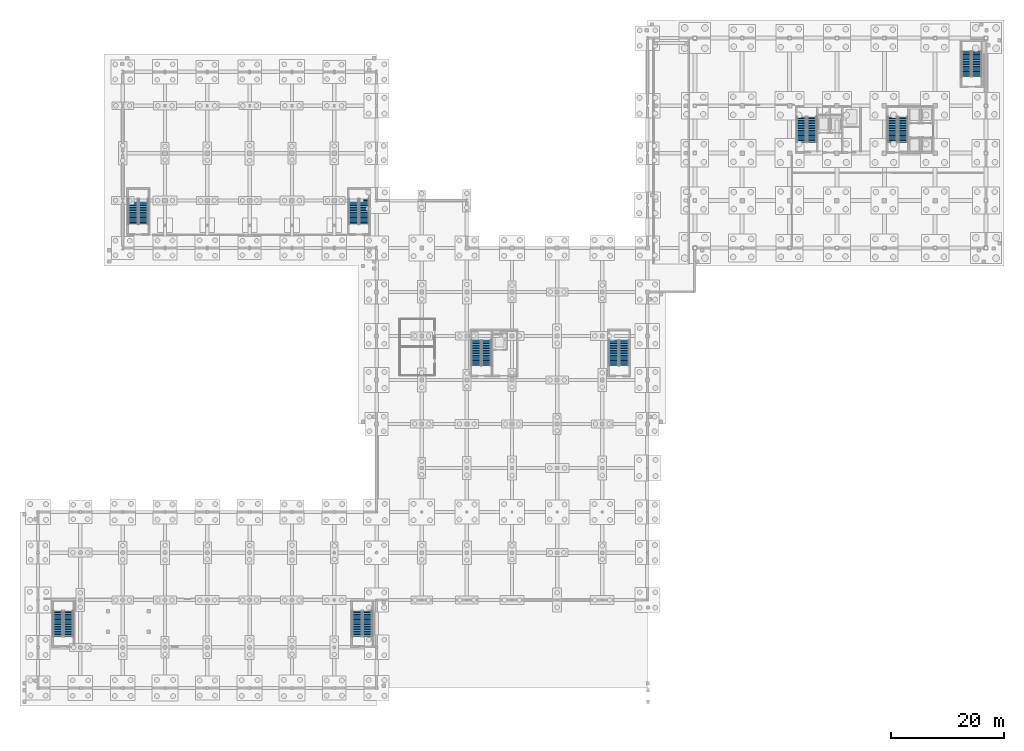
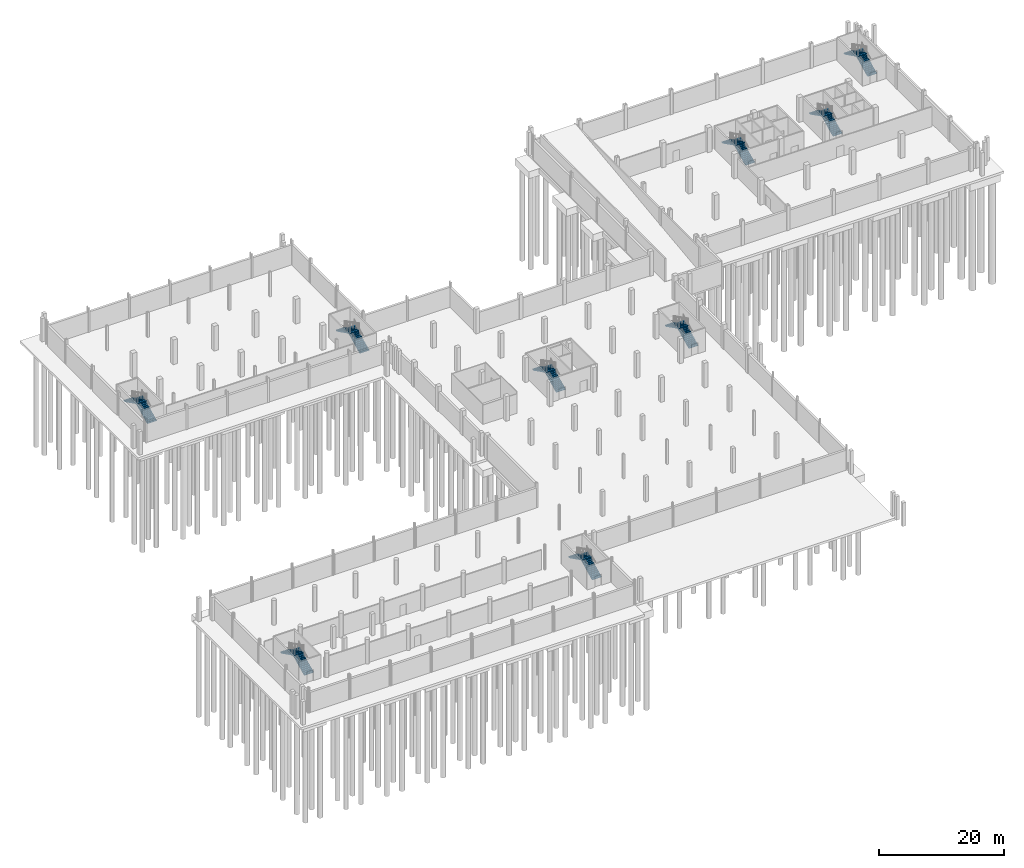
# One storey, part 35 of 44: 18 stair flights, 9 elements without a shape of their own.
"""IFC4 building model written with IfcOpenShell, lengths in metres."""

from ifc_helpers import new_model, si_unit, direction, frame, origin, place, context, subcontext, project, spatial, polyline, outline, extrude, material, type_object, element, aggregate, save


model = new_model("IFC4")

# Units and contexts
model_context = context("Model", 3, precision=1e-05, world=origin(), true_north=direction((0.0, 1.0)))
body_context = subcontext(model_context, "Body", "Model", "MODEL_VIEW")
ifc_project = project(units=[si_unit("LENGTHUNIT", "METRE"), si_unit("AREAUNIT", "SQUARE_METRE"), si_unit("VOLUMEUNIT", "CUBIC_METRE"), si_unit("PLANEANGLEUNIT", "RADIAN"), si_unit("MASSUNIT", "GRAM", prefix="KILO")], contexts=[model_context])

# Site, building, storey
site_placement = place(None, origin())
site = spatial("IfcSite", under=ifc_project, at=site_placement, CompositionType="ELEMENT")
building_placement = place(site_placement, origin())
building = spatial("IfcBuilding", under=site, at=building_placement, Name="Yukiwa Park Conservatory and Herbarium", CompositionType="ELEMENT")
storey_placement = place(building_placement, frame((0.0, 0.0, -4.800048828125)))
storey = spatial("IfcBuildingStorey", under=building, at=storey_placement, Name="B1", CompositionType="ELEMENT", Elevation=-4.800048828125)

# Stair, stair flights
ifc_material_1 = material(Name="Concrete C40", Category="concrete")
stair_type_1 = type_object("IfcStairType", Name="ST-DOGLEG-ST-T1", PredefinedType="HALF_TURN_STAIR", material=ifc_material_1)
stair_1_placement = place(storey_placement, origin())
stair_1 = element("IfcStair", 1, at=stair_1_placement, inside=storey, type_object=stair_type_1, Name="B1 Protected Smoke-Proof Stair ST-T1", PredefinedType="HALF_TURN_STAIR")
ifc_material_2 = material(Name="Concrete C40", Category="concrete")
stair_flight_type_1 = type_object("IfcStairFlightType", Name="STF-RC-1680", PredefinedType="STRAIGHT", material=ifc_material_2)
stair_flight_1_placement = place(storey_placement, frame((137.159912109375, 96.72998046875, 0.0), z_axis=(0.0, 0.0, 1.0), x_axis=(0.0, 1.0, 0.0)))
stair_flight_1 = element("IfcStairFlight", 2, at=stair_flight_1_placement, type_object=stair_flight_type_1, Name="ST-T1 flight 1", NumberOfRisers=16, NumberOfTreads=15, PredefinedType="STRAIGHT", RiserHeight=0.15, TreadLength=0.3, context=body_context, shape_type="SweptSolid", body=[
    extrude(outline(polyline([(0.0, 0.0), (0.0, 0.14990234375), (0.300048828125, 0.14990234375), (0.300048828125, 0.300048828125), (0.60009765625, 0.300048828125), (0.60009765625, 0.449951171875), (0.89990234375, 0.449951171875), (0.89990234375, 0.60009765625), (1.199951171875, 0.60009765625), (1.199951171875, 0.75), (1.5, 0.75), (1.5, 0.89990234375), (1.800048828125, 0.89990234375), (1.800048828125, 1.050048828125), (2.10009765625, 1.050048828125), (2.10009765625, 1.199951171875), (2.39990234375, 1.199951171875), (2.39990234375, 1.35009765625), (2.699951171875, 1.35009765625), (2.699951171875, 1.5), (3.0, 1.5), (3.0, 1.64990234375), (3.300048828125, 1.64990234375), (3.300048828125, 1.800048828125), (3.60009765625, 1.800048828125), (3.60009765625, 1.949951171875), (3.89990234375, 1.949951171875), (3.89990234375, 2.10009765625), (4.199951171875, 2.10009765625), (4.199951171875, 2.25), (4.5, 2.25), (4.5, 2.39990234375), (4.5, 2.08251953125), (0.335205078125, 0.0), (0.0, 0.0)])), frame((0.0, 0.83984375, 0.0), z_axis=(0.0, -1.0, 0.0), x_axis=(1.0, 0.0, 0.0)), (0.0, 0.0, 1.0), 1.679931640625),
])
stair_flight_2_placement = place(storey_placement, frame((135.330078125, 101.22998046875, 2.400146484375), z_axis=(0.0, 0.0, 1.0), x_axis=(0.0, -1.0, 0.0)))
stair_flight_2 = element("IfcStairFlight", 3, at=stair_flight_2_placement, type_object=stair_flight_type_1, Name="ST-T1 flight 2", NumberOfRisers=16, NumberOfTreads=15, PredefinedType="STRAIGHT", RiserHeight=0.15, TreadLength=0.3, context=body_context, shape_type="SweptSolid", body=[
    extrude(outline(polyline([(0.0, 0.0), (0.0, 0.14990234375), (0.300048828125, 0.14990234375), (0.300048828125, 0.300048828125), (0.60009765625, 0.300048828125), (0.60009765625, 0.449951171875), (0.89990234375, 0.449951171875), (0.89990234375, 0.60009765625), (1.199951171875, 0.60009765625), (1.199951171875, 0.75), (1.5, 0.75), (1.5, 0.89990234375), (1.800048828125, 0.89990234375), (1.800048828125, 1.050048828125), (2.10009765625, 1.050048828125), (2.10009765625, 1.199951171875), (2.39990234375, 1.199951171875), (2.39990234375, 1.35009765625), (2.699951171875, 1.35009765625), (2.699951171875, 1.5), (3.0, 1.5), (3.0, 1.64990234375), (3.300048828125, 1.64990234375), (3.300048828125, 1.800048828125), (3.60009765625, 1.800048828125), (3.60009765625, 1.949951171875), (3.89990234375, 1.949951171875), (3.89990234375, 2.10009765625), (4.199951171875, 2.10009765625), (4.199951171875, 2.25), (4.5, 2.25), (4.5, 2.39990234375), (4.5, 2.08251953125), (0.335205078125, 0.0), (0.0, 0.0)])), frame((0.0, 0.83984375, 0.0), z_axis=(0.0, -1.0, 0.0), x_axis=(1.0, 0.0, 0.0)), (0.0, 0.0, 1.0), 1.679931640625),
])
aggregate(stair_1, [stair_flight_1, stair_flight_2])

ifc_material_3 = material(Name="Concrete C40", Category="concrete")
stair_type_2 = type_object("IfcStairType", Name="ST-DOGLEG-ST-T2", PredefinedType="HALF_TURN_STAIR", material=ifc_material_3)
stair_2_placement = place(storey_placement, origin())
stair_2 = element("IfcStair", 4, at=stair_2_placement, inside=storey, type_object=stair_type_2, Name="B1 Protected Smoke-Proof Stair ST-T2", PredefinedType="HALF_TURN_STAIR")
stair_flight_3_placement = place(storey_placement, frame((153.27001953125, 96.72998046875, 0.0), z_axis=(0.0, 0.0, 1.0), x_axis=(0.0, 1.0, 0.0)))
stair_flight_3 = element("IfcStairFlight", 5, at=stair_flight_3_placement, type_object=stair_flight_type_1, Name="ST-T2 flight 1", NumberOfRisers=16, NumberOfTreads=15, PredefinedType="STRAIGHT", RiserHeight=0.15, TreadLength=0.3, context=body_context, shape_type="SweptSolid", body=[
    extrude(outline(polyline([(0.0, 0.0), (0.0, 0.14990234375), (0.300048828125, 0.14990234375), (0.300048828125, 0.300048828125), (0.60009765625, 0.300048828125), (0.60009765625, 0.449951171875), (0.89990234375, 0.449951171875), (0.89990234375, 0.60009765625), (1.199951171875, 0.60009765625), (1.199951171875, 0.75), (1.5, 0.75), (1.5, 0.89990234375), (1.800048828125, 0.89990234375), (1.800048828125, 1.050048828125), (2.10009765625, 1.050048828125), (2.10009765625, 1.199951171875), (2.39990234375, 1.199951171875), (2.39990234375, 1.35009765625), (2.699951171875, 1.35009765625), (2.699951171875, 1.5), (3.0, 1.5), (3.0, 1.64990234375), (3.300048828125, 1.64990234375), (3.300048828125, 1.800048828125), (3.60009765625, 1.800048828125), (3.60009765625, 1.949951171875), (3.89990234375, 1.949951171875), (3.89990234375, 2.10009765625), (4.199951171875, 2.10009765625), (4.199951171875, 2.25), (4.5, 2.25), (4.5, 2.39990234375), (4.5, 2.08251953125), (0.335205078125, 0.0), (0.0, 0.0)])), frame((0.0, 0.83984375, 0.0), z_axis=(0.0, -1.0, 0.0), x_axis=(1.0, 0.0, 0.0)), (0.0, 0.0, 1.0), 1.679931640625),
])
stair_flight_4_placement = place(storey_placement, frame((151.43994140625, 101.22998046875, 2.400146484375), z_axis=(0.0, 0.0, 1.0), x_axis=(0.0, -1.0, 0.0)))
stair_flight_4 = element("IfcStairFlight", 6, at=stair_flight_4_placement, type_object=stair_flight_type_1, Name="ST-T2 flight 2", NumberOfRisers=16, NumberOfTreads=15, PredefinedType="STRAIGHT", RiserHeight=0.15, TreadLength=0.3, context=body_context, shape_type="SweptSolid", body=[
    extrude(outline(polyline([(0.0, 0.0), (0.0, 0.14990234375), (0.300048828125, 0.14990234375), (0.300048828125, 0.300048828125), (0.60009765625, 0.300048828125), (0.60009765625, 0.449951171875), (0.89990234375, 0.449951171875), (0.89990234375, 0.60009765625), (1.199951171875, 0.60009765625), (1.199951171875, 0.75), (1.5, 0.75), (1.5, 0.89990234375), (1.800048828125, 0.89990234375), (1.800048828125, 1.050048828125), (2.10009765625, 1.050048828125), (2.10009765625, 1.199951171875), (2.39990234375, 1.199951171875), (2.39990234375, 1.35009765625), (2.699951171875, 1.35009765625), (2.699951171875, 1.5), (3.0, 1.5), (3.0, 1.64990234375), (3.300048828125, 1.64990234375), (3.300048828125, 1.800048828125), (3.60009765625, 1.800048828125), (3.60009765625, 1.949951171875), (3.89990234375, 1.949951171875), (3.89990234375, 2.10009765625), (4.199951171875, 2.10009765625), (4.199951171875, 2.25), (4.5, 2.25), (4.5, 2.39990234375), (4.5, 2.08251953125), (0.335205078125, 0.0), (0.0, 0.0)])), frame((0.0, 0.83984375, 0.0), z_axis=(0.0, -1.0, 0.0), x_axis=(1.0, 0.0, 0.0)), (0.0, 0.0, 1.0), 1.679931640625),
])
aggregate(stair_2, [stair_flight_3, stair_flight_4])

ifc_material_4 = material(Name="Concrete C40", Category="concrete")
stair_type_3 = type_object("IfcStairType", Name="ST-DOGLEG-ST-T3", PredefinedType="HALF_TURN_STAIR", material=ifc_material_4)
stair_3_placement = place(storey_placement, origin())
stair_3 = element("IfcStair", 7, at=stair_3_placement, inside=storey, type_object=stair_type_3, Name="B1 Protected Smoke-Proof Stair ST-T3", PredefinedType="HALF_TURN_STAIR")
stair_flight_5_placement = place(storey_placement, frame((166.360107421875, 108.3798828125, 0.0), z_axis=(0.0, 0.0, 1.0), x_axis=(0.0, 1.0, 0.0)))
stair_flight_5 = element("IfcStairFlight", 8, at=stair_flight_5_placement, type_object=stair_flight_type_1, Name="ST-T3 flight 1", NumberOfRisers=16, NumberOfTreads=15, PredefinedType="STRAIGHT", RiserHeight=0.15, TreadLength=0.3, context=body_context, shape_type="SweptSolid", body=[
    extrude(outline(polyline([(0.0, 0.0), (0.0, 0.14990234375), (0.300048828125, 0.14990234375), (0.300048828125, 0.300048828125), (0.60009765625, 0.300048828125), (0.60009765625, 0.449951171875), (0.89990234375, 0.449951171875), (0.89990234375, 0.60009765625), (1.199951171875, 0.60009765625), (1.199951171875, 0.75), (1.5, 0.75), (1.5, 0.89990234375), (1.800048828125, 0.89990234375), (1.800048828125, 1.050048828125), (2.10009765625, 1.050048828125), (2.10009765625, 1.199951171875), (2.39990234375, 1.199951171875), (2.39990234375, 1.35009765625), (2.699951171875, 1.35009765625), (2.699951171875, 1.5), (3.0, 1.5), (3.0, 1.64990234375), (3.300048828125, 1.64990234375), (3.300048828125, 1.800048828125), (3.60009765625, 1.800048828125), (3.60009765625, 1.949951171875), (3.89990234375, 1.949951171875), (3.89990234375, 2.10009765625), (4.199951171875, 2.10009765625), (4.199951171875, 2.25), (4.5, 2.25), (4.5, 2.39990234375), (4.5, 2.08251953125), (0.335205078125, 0.0), (0.0, 0.0)])), frame((0.0, 0.83984375, 0.0), z_axis=(0.0, -1.0, 0.0), x_axis=(1.0, 0.0, 0.0)), (0.0, 0.0, 1.0), 1.679931640625),
])
stair_flight_6_placement = place(storey_placement, frame((164.530029296875, 112.8798828125, 2.400146484375), z_axis=(0.0, 0.0, 1.0), x_axis=(0.0, -1.0, 0.0)))
stair_flight_6 = element("IfcStairFlight", 9, at=stair_flight_6_placement, type_object=stair_flight_type_1, Name="ST-T3 flight 2", NumberOfRisers=16, NumberOfTreads=15, PredefinedType="STRAIGHT", RiserHeight=0.15, TreadLength=0.3, context=body_context, shape_type="SweptSolid", body=[
    extrude(outline(polyline([(0.0, 0.0), (0.0, 0.14990234375), (0.300048828125, 0.14990234375), (0.300048828125, 0.300048828125), (0.60009765625, 0.300048828125), (0.60009765625, 0.449951171875), (0.89990234375, 0.449951171875), (0.89990234375, 0.60009765625), (1.199951171875, 0.60009765625), (1.199951171875, 0.75), (1.5, 0.75), (1.5, 0.89990234375), (1.800048828125, 0.89990234375), (1.800048828125, 1.050048828125), (2.10009765625, 1.050048828125), (2.10009765625, 1.199951171875), (2.39990234375, 1.199951171875), (2.39990234375, 1.35009765625), (2.699951171875, 1.35009765625), (2.699951171875, 1.5), (3.0, 1.5), (3.0, 1.64990234375), (3.300048828125, 1.64990234375), (3.300048828125, 1.800048828125), (3.60009765625, 1.800048828125), (3.60009765625, 1.949951171875), (3.89990234375, 1.949951171875), (3.89990234375, 2.10009765625), (4.199951171875, 2.10009765625), (4.199951171875, 2.25), (4.5, 2.25), (4.5, 2.39990234375), (4.5, 2.08251953125), (0.335205078125, 0.0), (0.0, 0.0)])), frame((0.0, 0.83984375, 0.0), z_axis=(0.0, -1.0, 0.0), x_axis=(1.0, 0.0, 0.0)), (0.0, 0.0, 1.0), 1.679931640625),
])
aggregate(stair_3, [stair_flight_5, stair_flight_6])

ifc_material_5 = material(Name="Concrete C40", Category="concrete")
stair_type_4 = type_object("IfcStairType", Name="ST-DOGLEG-ST-C1", PredefinedType="HALF_TURN_STAIR", material=ifc_material_5)
stair_4_placement = place(storey_placement, origin())
stair_4 = element("IfcStair", 10, at=stair_4_placement, inside=storey, type_object=stair_type_4, Name="B1 Conservatory West Exit Stair ST-C1", PredefinedType="HALF_TURN_STAIR")
ifc_material_6 = material(Name="Concrete C40", Category="concrete")
stair_flight_type_2 = type_object("IfcStairFlightType", Name="STF-RC-1700", PredefinedType="STRAIGHT", material=ifc_material_6)
stair_flight_7_placement = place(storey_placement, frame((5.39990234375, 9.14990234375, 0.0), z_axis=(0.0, 0.0, 1.0), x_axis=(0.0, 1.0, 0.0)))
stair_flight_7 = element("IfcStairFlight", 11, at=stair_flight_7_placement, type_object=stair_flight_type_2, Name="ST-C1 flight 1", NumberOfRisers=16, NumberOfTreads=15, PredefinedType="STRAIGHT", RiserHeight=0.15, TreadLength=0.3, context=body_context, shape_type="SweptSolid", body=[
    extrude(outline(polyline([(0.0, 0.0), (0.0, 0.14990234375), (0.300048828125, 0.14990234375), (0.300048828125, 0.300048828125), (0.60009765625, 0.300048828125), (0.60009765625, 0.449951171875), (0.89990234375, 0.449951171875), (0.89990234375, 0.60009765625), (1.199951171875, 0.60009765625), (1.199951171875, 0.75), (1.5, 0.75), (1.5, 0.89990234375), (1.800048828125, 0.89990234375), (1.800048828125, 1.050048828125), (2.10009765625, 1.050048828125), (2.10009765625, 1.199951171875), (2.39990234375, 1.199951171875), (2.39990234375, 1.35009765625), (2.699951171875, 1.35009765625), (2.699951171875, 1.5), (3.0, 1.5), (3.0, 1.64990234375), (3.300048828125, 1.64990234375), (3.300048828125, 1.800048828125), (3.60009765625, 1.800048828125), (3.60009765625, 1.949951171875), (3.89990234375, 1.949951171875), (3.89990234375, 2.10009765625), (4.199951171875, 2.10009765625), (4.199951171875, 2.25), (4.5, 2.25), (4.5, 2.39990234375), (4.5, 2.08251953125), (0.335205078125, 0.0), (0.0, 0.0)])), frame((0.0, 0.85009765625, 0.0), z_axis=(0.0, -1.0, 0.0), x_axis=(1.0, 0.0, 0.0)), (0.0, 0.0, 1.0), 1.699951171875),
])
stair_flight_8_placement = place(storey_placement, frame((3.550048828125, 13.64990234375, 2.400146484375), z_axis=(0.0, 0.0, 1.0), x_axis=(0.0, -1.0, 0.0)))
stair_flight_8 = element("IfcStairFlight", 12, at=stair_flight_8_placement, type_object=stair_flight_type_2, Name="ST-C1 flight 2", NumberOfRisers=16, NumberOfTreads=15, PredefinedType="STRAIGHT", RiserHeight=0.15, TreadLength=0.3, context=body_context, shape_type="SweptSolid", body=[
    extrude(outline(polyline([(0.0, 0.0), (0.0, 0.14990234375), (0.300048828125, 0.14990234375), (0.300048828125, 0.300048828125), (0.60009765625, 0.300048828125), (0.60009765625, 0.449951171875), (0.89990234375, 0.449951171875), (0.89990234375, 0.60009765625), (1.199951171875, 0.60009765625), (1.199951171875, 0.75), (1.5, 0.75), (1.5, 0.89990234375), (1.800048828125, 0.89990234375), (1.800048828125, 1.050048828125), (2.10009765625, 1.050048828125), (2.10009765625, 1.199951171875), (2.39990234375, 1.199951171875), (2.39990234375, 1.35009765625), (2.699951171875, 1.35009765625), (2.699951171875, 1.5), (3.0, 1.5), (3.0, 1.64990234375), (3.300048828125, 1.64990234375), (3.300048828125, 1.800048828125), (3.60009765625, 1.800048828125), (3.60009765625, 1.949951171875), (3.89990234375, 1.949951171875), (3.89990234375, 2.10009765625), (4.199951171875, 2.10009765625), (4.199951171875, 2.25), (4.5, 2.25), (4.5, 2.39990234375), (4.5, 2.08251953125), (0.335205078125, 0.0), (0.0, 0.0)])), frame((0.0, 0.85009765625, 0.0), z_axis=(0.0, -1.0, 0.0), x_axis=(1.0, 0.0, 0.0)), (0.0, 0.0, 1.0), 1.699951171875),
])
aggregate(stair_4, [stair_flight_7, stair_flight_8])

ifc_material_7 = material(Name="Concrete C40", Category="concrete")
stair_type_5 = type_object("IfcStairType", Name="ST-DOGLEG-ST-C2", PredefinedType="HALF_TURN_STAIR", material=ifc_material_7)
stair_5_placement = place(storey_placement, origin())
stair_5 = element("IfcStair", 13, at=stair_5_placement, inside=storey, type_object=stair_type_5, Name="B1 Conservatory East Exit Stair ST-C2", PredefinedType="HALF_TURN_STAIR")
stair_flight_9_placement = place(storey_placement, frame((58.39990234375, 9.14990234375, 0.0), z_axis=(0.0, 0.0, 1.0), x_axis=(0.0, 1.0, 0.0)))
stair_flight_9 = element("IfcStairFlight", 14, at=stair_flight_9_placement, type_object=stair_flight_type_2, Name="ST-C2 flight 1", NumberOfRisers=16, NumberOfTreads=15, PredefinedType="STRAIGHT", RiserHeight=0.15, TreadLength=0.3, context=body_context, shape_type="SweptSolid", body=[
    extrude(outline(polyline([(0.0, 0.0), (0.0, 0.14990234375), (0.300048828125, 0.14990234375), (0.300048828125, 0.300048828125), (0.60009765625, 0.300048828125), (0.60009765625, 0.449951171875), (0.89990234375, 0.449951171875), (0.89990234375, 0.60009765625), (1.199951171875, 0.60009765625), (1.199951171875, 0.75), (1.5, 0.75), (1.5, 0.89990234375), (1.800048828125, 0.89990234375), (1.800048828125, 1.050048828125), (2.10009765625, 1.050048828125), (2.10009765625, 1.199951171875), (2.39990234375, 1.199951171875), (2.39990234375, 1.35009765625), (2.699951171875, 1.35009765625), (2.699951171875, 1.5), (3.0, 1.5), (3.0, 1.64990234375), (3.300048828125, 1.64990234375), (3.300048828125, 1.800048828125), (3.60009765625, 1.800048828125), (3.60009765625, 1.949951171875), (3.89990234375, 1.949951171875), (3.89990234375, 2.10009765625), (4.199951171875, 2.10009765625), (4.199951171875, 2.25), (4.5, 2.25), (4.5, 2.39990234375), (4.5, 2.08251953125), (0.335205078125, 0.0), (0.0, 0.0)])), frame((0.0, 0.85009765625, 0.0), z_axis=(0.0, -1.0, 0.0), x_axis=(1.0, 0.0, 0.0)), (0.0, 0.0, 1.0), 1.699951171875),
])
stair_flight_10_placement = place(storey_placement, frame((56.550048828125, 13.64990234375, 2.400146484375), z_axis=(0.0, 0.0, 1.0), x_axis=(0.0, -1.0, 0.0)))
stair_flight_10 = element("IfcStairFlight", 15, at=stair_flight_10_placement, type_object=stair_flight_type_2, Name="ST-C2 flight 2", NumberOfRisers=16, NumberOfTreads=15, PredefinedType="STRAIGHT", RiserHeight=0.15, TreadLength=0.3, context=body_context, shape_type="SweptSolid", body=[
    extrude(outline(polyline([(0.0, 0.0), (0.0, 0.14990234375), (0.300048828125, 0.14990234375), (0.300048828125, 0.300048828125), (0.60009765625, 0.300048828125), (0.60009765625, 0.449951171875), (0.89990234375, 0.449951171875), (0.89990234375, 0.60009765625), (1.199951171875, 0.60009765625), (1.199951171875, 0.75), (1.5, 0.75), (1.5, 0.89990234375), (1.800048828125, 0.89990234375), (1.800048828125, 1.050048828125), (2.10009765625, 1.050048828125), (2.10009765625, 1.199951171875), (2.39990234375, 1.199951171875), (2.39990234375, 1.35009765625), (2.699951171875, 1.35009765625), (2.699951171875, 1.5), (3.0, 1.5), (3.0, 1.64990234375), (3.300048828125, 1.64990234375), (3.300048828125, 1.800048828125), (3.60009765625, 1.800048828125), (3.60009765625, 1.949951171875), (3.89990234375, 1.949951171875), (3.89990234375, 2.10009765625), (4.199951171875, 2.10009765625), (4.199951171875, 2.25), (4.5, 2.25), (4.5, 2.39990234375), (4.5, 2.08251953125), (0.335205078125, 0.0), (0.0, 0.0)])), frame((0.0, 0.85009765625, 0.0), z_axis=(0.0, -1.0, 0.0), x_axis=(1.0, 0.0, 0.0)), (0.0, 0.0, 1.0), 1.699951171875),
])
aggregate(stair_5, [stair_flight_9, stair_flight_10])

ifc_material_8 = material(Name="Concrete C40", Category="concrete")
stair_type_6 = type_object("IfcStairType", Name="ST-DOGLEG-ST-V1", PredefinedType="HALF_TURN_STAIR", material=ifc_material_8)
stair_6_placement = place(storey_placement, origin())
stair_6 = element("IfcStair", 16, at=stair_6_placement, inside=storey, type_object=stair_type_6, Name="B1 Visitor Core Exit Stair ST-V1", PredefinedType="HALF_TURN_STAIR")
stair_flight_11_placement = place(storey_placement, frame((79.5, 57.14990234375, 0.0), z_axis=(0.0, 0.0, 1.0), x_axis=(0.0, 1.0, 0.0)))
stair_flight_11 = element("IfcStairFlight", 17, at=stair_flight_11_placement, type_object=stair_flight_type_2, Name="ST-V1 flight 1", NumberOfRisers=16, NumberOfTreads=15, PredefinedType="STRAIGHT", RiserHeight=0.15, TreadLength=0.3, context=body_context, shape_type="SweptSolid", body=[
    extrude(outline(polyline([(0.0, 0.0), (0.0, 0.14990234375), (0.300048828125, 0.14990234375), (0.300048828125, 0.300048828125), (0.60009765625, 0.300048828125), (0.60009765625, 0.449951171875), (0.89990234375, 0.449951171875), (0.89990234375, 0.60009765625), (1.199951171875, 0.60009765625), (1.199951171875, 0.75), (1.5, 0.75), (1.5, 0.89990234375), (1.800048828125, 0.89990234375), (1.800048828125, 1.050048828125), (2.10009765625, 1.050048828125), (2.10009765625, 1.199951171875), (2.39990234375, 1.199951171875), (2.39990234375, 1.35009765625), (2.699951171875, 1.35009765625), (2.699951171875, 1.5), (3.0, 1.5), (3.0, 1.64990234375), (3.300048828125, 1.64990234375), (3.300048828125, 1.800048828125), (3.60009765625, 1.800048828125), (3.60009765625, 1.949951171875), (3.89990234375, 1.949951171875), (3.89990234375, 2.10009765625), (4.199951171875, 2.10009765625), (4.199951171875, 2.25), (4.5, 2.25), (4.5, 2.39990234375), (4.5, 2.08251953125), (0.335205078125, 0.0), (0.0, 0.0)])), frame((0.0, 0.85009765625, 0.0), z_axis=(0.0, -1.0, 0.0), x_axis=(1.0, 0.0, 0.0)), (0.0, 0.0, 1.0), 1.699951171875),
])
stair_flight_12_placement = place(storey_placement, frame((77.64990234375, 61.64990234375, 2.400146484375), z_axis=(0.0, 0.0, 1.0), x_axis=(0.0, -1.0, 0.0)))
stair_flight_12 = element("IfcStairFlight", 18, at=stair_flight_12_placement, type_object=stair_flight_type_2, Name="ST-V1 flight 2", NumberOfRisers=16, NumberOfTreads=15, PredefinedType="STRAIGHT", RiserHeight=0.15, TreadLength=0.3, context=body_context, shape_type="SweptSolid", body=[
    extrude(outline(polyline([(0.0, 0.0), (0.0, 0.14990234375), (0.300048828125, 0.14990234375), (0.300048828125, 0.300048828125), (0.60009765625, 0.300048828125), (0.60009765625, 0.449951171875), (0.89990234375, 0.449951171875), (0.89990234375, 0.60009765625), (1.199951171875, 0.60009765625), (1.199951171875, 0.75), (1.5, 0.75), (1.5, 0.89990234375), (1.800048828125, 0.89990234375), (1.800048828125, 1.050048828125), (2.10009765625, 1.050048828125), (2.10009765625, 1.199951171875), (2.39990234375, 1.199951171875), (2.39990234375, 1.35009765625), (2.699951171875, 1.35009765625), (2.699951171875, 1.5), (3.0, 1.5), (3.0, 1.64990234375), (3.300048828125, 1.64990234375), (3.300048828125, 1.800048828125), (3.60009765625, 1.800048828125), (3.60009765625, 1.949951171875), (3.89990234375, 1.949951171875), (3.89990234375, 2.10009765625), (4.199951171875, 2.10009765625), (4.199951171875, 2.25), (4.5, 2.25), (4.5, 2.39990234375), (4.5, 2.08251953125), (0.335205078125, 0.0), (0.0, 0.0)])), frame((0.0, 0.85009765625, 0.0), z_axis=(0.0, -1.0, 0.0), x_axis=(1.0, 0.0, 0.0)), (0.0, 0.0, 1.0), 1.699951171875),
])
aggregate(stair_6, [stair_flight_11, stair_flight_12])

ifc_material_9 = material(Name="Concrete C40", Category="concrete")
stair_type_7 = type_object("IfcStairType", Name="ST-DOGLEG-ST-V2", PredefinedType="HALF_TURN_STAIR", material=ifc_material_9)
stair_7_placement = place(storey_placement, origin())
stair_7 = element("IfcStair", 19, at=stair_7_placement, inside=storey, type_object=stair_type_7, Name="B1 Visitor East Exit Stair ST-V2", PredefinedType="HALF_TURN_STAIR")
stair_flight_13_placement = place(storey_placement, frame((103.89990234375, 57.14990234375, 0.0), z_axis=(0.0, 0.0, 1.0), x_axis=(0.0, 1.0, 0.0)))
stair_flight_13 = element("IfcStairFlight", 20, at=stair_flight_13_placement, type_object=stair_flight_type_2, Name="ST-V2 flight 1", NumberOfRisers=16, NumberOfTreads=15, PredefinedType="STRAIGHT", RiserHeight=0.15, TreadLength=0.3, context=body_context, shape_type="SweptSolid", body=[
    extrude(outline(polyline([(0.0, 0.0), (0.0, 0.14990234375), (0.300048828125, 0.14990234375), (0.300048828125, 0.300048828125), (0.60009765625, 0.300048828125), (0.60009765625, 0.449951171875), (0.89990234375, 0.449951171875), (0.89990234375, 0.60009765625), (1.199951171875, 0.60009765625), (1.199951171875, 0.75), (1.5, 0.75), (1.5, 0.89990234375), (1.800048828125, 0.89990234375), (1.800048828125, 1.050048828125), (2.10009765625, 1.050048828125), (2.10009765625, 1.199951171875), (2.39990234375, 1.199951171875), (2.39990234375, 1.35009765625), (2.699951171875, 1.35009765625), (2.699951171875, 1.5), (3.0, 1.5), (3.0, 1.64990234375), (3.300048828125, 1.64990234375), (3.300048828125, 1.800048828125), (3.60009765625, 1.800048828125), (3.60009765625, 1.949951171875), (3.89990234375, 1.949951171875), (3.89990234375, 2.10009765625), (4.199951171875, 2.10009765625), (4.199951171875, 2.25), (4.5, 2.25), (4.5, 2.39990234375), (4.5, 2.08251953125), (0.335205078125, 0.0), (0.0, 0.0)])), frame((0.0, 0.85009765625, 0.0), z_axis=(0.0, -1.0, 0.0), x_axis=(1.0, 0.0, 0.0)), (0.0, 0.0, 1.0), 1.699951171875),
])
stair_flight_14_placement = place(storey_placement, frame((102.050048828125, 61.64990234375, 2.400146484375), z_axis=(0.0, 0.0, 1.0), x_axis=(0.0, -1.0, 0.0)))
stair_flight_14 = element("IfcStairFlight", 21, at=stair_flight_14_placement, type_object=stair_flight_type_2, Name="ST-V2 flight 2", NumberOfRisers=16, NumberOfTreads=15, PredefinedType="STRAIGHT", RiserHeight=0.15, TreadLength=0.3, context=body_context, shape_type="SweptSolid", body=[
    extrude(outline(polyline([(0.0, 0.0), (0.0, 0.14990234375), (0.300048828125, 0.14990234375), (0.300048828125, 0.300048828125), (0.60009765625, 0.300048828125), (0.60009765625, 0.449951171875), (0.89990234375, 0.449951171875), (0.89990234375, 0.60009765625), (1.199951171875, 0.60009765625), (1.199951171875, 0.75), (1.5, 0.75), (1.5, 0.89990234375), (1.800048828125, 0.89990234375), (1.800048828125, 1.050048828125), (2.10009765625, 1.050048828125), (2.10009765625, 1.199951171875), (2.39990234375, 1.199951171875), (2.39990234375, 1.35009765625), (2.699951171875, 1.35009765625), (2.699951171875, 1.5), (3.0, 1.5), (3.0, 1.64990234375), (3.300048828125, 1.64990234375), (3.300048828125, 1.800048828125), (3.60009765625, 1.800048828125), (3.60009765625, 1.949951171875), (3.89990234375, 1.949951171875), (3.89990234375, 2.10009765625), (4.199951171875, 2.10009765625), (4.199951171875, 2.25), (4.5, 2.25), (4.5, 2.39990234375), (4.5, 2.08251953125), (0.335205078125, 0.0), (0.0, 0.0)])), frame((0.0, 0.85009765625, 0.0), z_axis=(0.0, -1.0, 0.0), x_axis=(1.0, 0.0, 0.0)), (0.0, 0.0, 1.0), 1.699951171875),
])
aggregate(stair_7, [stair_flight_13, stair_flight_14])

ifc_material_10 = material(Name="Concrete C40", Category="concrete")
stair_type_8 = type_object("IfcStairType", Name="ST-DOGLEG-ST-A1", PredefinedType="HALF_TURN_STAIR", material=ifc_material_10)
stair_8_placement = place(storey_placement, origin())
stair_8 = element("IfcStair", 22, at=stair_8_placement, inside=storey, type_object=stair_type_8, Name="B1 Auditorium West Exit Stair ST-A1", PredefinedType="HALF_TURN_STAIR")
stair_flight_15_placement = place(storey_placement, frame((18.699951171875, 82.199951171875, 0.0), z_axis=(0.0, 0.0, 1.0), x_axis=(0.0, 1.0, 0.0)))
stair_flight_15 = element("IfcStairFlight", 23, at=stair_flight_15_placement, type_object=stair_flight_type_2, Name="ST-A1 flight 1", NumberOfRisers=16, NumberOfTreads=15, PredefinedType="STRAIGHT", RiserHeight=0.15, TreadLength=0.3, context=body_context, shape_type="SweptSolid", body=[
    extrude(outline(polyline([(0.0, 0.0), (0.0, 0.14990234375), (0.300048828125, 0.14990234375), (0.300048828125, 0.300048828125), (0.60009765625, 0.300048828125), (0.60009765625, 0.449951171875), (0.89990234375, 0.449951171875), (0.89990234375, 0.60009765625), (1.199951171875, 0.60009765625), (1.199951171875, 0.75), (1.5, 0.75), (1.5, 0.89990234375), (1.800048828125, 0.89990234375), (1.800048828125, 1.050048828125), (2.10009765625, 1.050048828125), (2.10009765625, 1.199951171875), (2.39990234375, 1.199951171875), (2.39990234375, 1.35009765625), (2.699951171875, 1.35009765625), (2.699951171875, 1.5), (3.0, 1.5), (3.0, 1.64990234375), (3.300048828125, 1.64990234375), (3.300048828125, 1.800048828125), (3.60009765625, 1.800048828125), (3.60009765625, 1.949951171875), (3.89990234375, 1.949951171875), (3.89990234375, 2.10009765625), (4.199951171875, 2.10009765625), (4.199951171875, 2.25), (4.5, 2.25), (4.5, 2.39990234375), (4.5, 2.08251953125), (0.335205078125, 0.0), (0.0, 0.0)])), frame((0.0, 0.85009765625, 0.0), z_axis=(0.0, -1.0, 0.0), x_axis=(1.0, 0.0, 0.0)), (0.0, 0.0, 1.0), 1.699951171875),
])
stair_flight_16_placement = place(storey_placement, frame((16.85009765625, 86.699951171875, 2.400146484375), z_axis=(0.0, 0.0, 1.0), x_axis=(0.0, -1.0, 0.0)))
stair_flight_16 = element("IfcStairFlight", 24, at=stair_flight_16_placement, type_object=stair_flight_type_2, Name="ST-A1 flight 2", NumberOfRisers=16, NumberOfTreads=15, PredefinedType="STRAIGHT", RiserHeight=0.15, TreadLength=0.3, context=body_context, shape_type="SweptSolid", body=[
    extrude(outline(polyline([(0.0, 0.0), (0.0, 0.14990234375), (0.300048828125, 0.14990234375), (0.300048828125, 0.300048828125), (0.60009765625, 0.300048828125), (0.60009765625, 0.449951171875), (0.89990234375, 0.449951171875), (0.89990234375, 0.60009765625), (1.199951171875, 0.60009765625), (1.199951171875, 0.75), (1.5, 0.75), (1.5, 0.89990234375), (1.800048828125, 0.89990234375), (1.800048828125, 1.050048828125), (2.10009765625, 1.050048828125), (2.10009765625, 1.199951171875), (2.39990234375, 1.199951171875), (2.39990234375, 1.35009765625), (2.699951171875, 1.35009765625), (2.699951171875, 1.5), (3.0, 1.5), (3.0, 1.64990234375), (3.300048828125, 1.64990234375), (3.300048828125, 1.800048828125), (3.60009765625, 1.800048828125), (3.60009765625, 1.949951171875), (3.89990234375, 1.949951171875), (3.89990234375, 2.10009765625), (4.199951171875, 2.10009765625), (4.199951171875, 2.25), (4.5, 2.25), (4.5, 2.39990234375), (4.5, 2.08251953125), (0.335205078125, 0.0), (0.0, 0.0)])), frame((0.0, 0.85009765625, 0.0), z_axis=(0.0, -1.0, 0.0), x_axis=(1.0, 0.0, 0.0)), (0.0, 0.0, 1.0), 1.699951171875),
])
aggregate(stair_8, [stair_flight_15, stair_flight_16])

ifc_material_11 = material(Name="Concrete C40", Category="concrete")
stair_type_9 = type_object("IfcStairType", Name="ST-DOGLEG-ST-A2", PredefinedType="HALF_TURN_STAIR", material=ifc_material_11)
stair_9_placement = place(storey_placement, origin())
stair_9 = element("IfcStair", 25, at=stair_9_placement, inside=storey, type_object=stair_type_9, Name="B1 Auditorium East Exit Stair ST-A2", PredefinedType="HALF_TURN_STAIR")
stair_flight_17_placement = place(storey_placement, frame((57.800048828125, 82.199951171875, 0.0), z_axis=(0.0, 0.0, 1.0), x_axis=(0.0, 1.0, 0.0)))
stair_flight_17 = element("IfcStairFlight", 26, at=stair_flight_17_placement, type_object=stair_flight_type_2, Name="ST-A2 flight 1", NumberOfRisers=16, NumberOfTreads=15, PredefinedType="STRAIGHT", RiserHeight=0.15, TreadLength=0.3, context=body_context, shape_type="SweptSolid", body=[
    extrude(outline(polyline([(0.0, 0.0), (0.0, 0.14990234375), (0.300048828125, 0.14990234375), (0.300048828125, 0.300048828125), (0.60009765625, 0.300048828125), (0.60009765625, 0.449951171875), (0.89990234375, 0.449951171875), (0.89990234375, 0.60009765625), (1.199951171875, 0.60009765625), (1.199951171875, 0.75), (1.5, 0.75), (1.5, 0.89990234375), (1.800048828125, 0.89990234375), (1.800048828125, 1.050048828125), (2.10009765625, 1.050048828125), (2.10009765625, 1.199951171875), (2.39990234375, 1.199951171875), (2.39990234375, 1.35009765625), (2.699951171875, 1.35009765625), (2.699951171875, 1.5), (3.0, 1.5), (3.0, 1.64990234375), (3.300048828125, 1.64990234375), (3.300048828125, 1.800048828125), (3.60009765625, 1.800048828125), (3.60009765625, 1.949951171875), (3.89990234375, 1.949951171875), (3.89990234375, 2.10009765625), (4.199951171875, 2.10009765625), (4.199951171875, 2.25), (4.5, 2.25), (4.5, 2.39990234375), (4.5, 2.08251953125), (0.335205078125, 0.0), (0.0, 0.0)])), frame((0.0, 0.85009765625, 0.0), z_axis=(0.0, -1.0, 0.0), x_axis=(1.0, 0.0, 0.0)), (0.0, 0.0, 1.0), 1.699951171875),
])
stair_flight_18_placement = place(storey_placement, frame((55.949951171875, 86.699951171875, 2.400146484375), z_axis=(0.0, 0.0, 1.0), x_axis=(0.0, -1.0, 0.0)))
stair_flight_18 = element("IfcStairFlight", 27, at=stair_flight_18_placement, type_object=stair_flight_type_2, Name="ST-A2 flight 2", NumberOfRisers=16, NumberOfTreads=15, PredefinedType="STRAIGHT", RiserHeight=0.15, TreadLength=0.3, context=body_context, shape_type="SweptSolid", body=[
    extrude(outline(polyline([(0.0, 0.0), (0.0, 0.14990234375), (0.300048828125, 0.14990234375), (0.300048828125, 0.300048828125), (0.60009765625, 0.300048828125), (0.60009765625, 0.449951171875), (0.89990234375, 0.449951171875), (0.89990234375, 0.60009765625), (1.199951171875, 0.60009765625), (1.199951171875, 0.75), (1.5, 0.75), (1.5, 0.89990234375), (1.800048828125, 0.89990234375), (1.800048828125, 1.050048828125), (2.10009765625, 1.050048828125), (2.10009765625, 1.199951171875), (2.39990234375, 1.199951171875), (2.39990234375, 1.35009765625), (2.699951171875, 1.35009765625), (2.699951171875, 1.5), (3.0, 1.5), (3.0, 1.64990234375), (3.300048828125, 1.64990234375), (3.300048828125, 1.800048828125), (3.60009765625, 1.800048828125), (3.60009765625, 1.949951171875), (3.89990234375, 1.949951171875), (3.89990234375, 2.10009765625), (4.199951171875, 2.10009765625), (4.199951171875, 2.25), (4.5, 2.25), (4.5, 2.39990234375), (4.5, 2.08251953125), (0.335205078125, 0.0), (0.0, 0.0)])), frame((0.0, 0.85009765625, 0.0), z_axis=(0.0, -1.0, 0.0), x_axis=(1.0, 0.0, 0.0)), (0.0, 0.0, 1.0), 1.699951171875),
])
aggregate(stair_9, [stair_flight_17, stair_flight_18])

save(model, "model.ifc")
